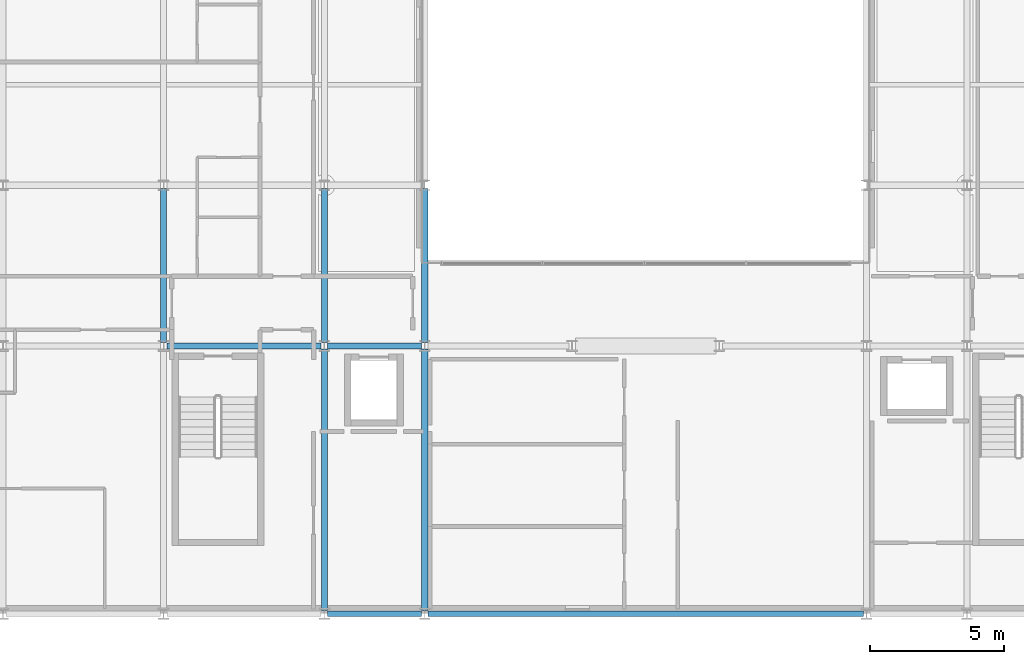
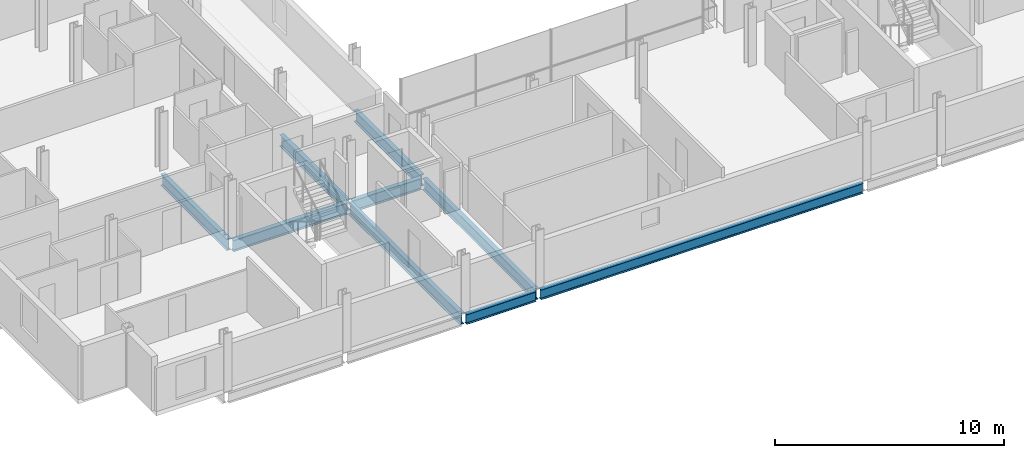
# One storey, part 5 of 38: 9 beams.
"""IFC4 building model written with IfcOpenShell, lengths in metres."""

from ifc_helpers import new_model, si_unit, direction, frame, origin, origin_2d, place, context, subcontext, project, spatial, i_section, extrude, material, material_profile, profile_set, type_object, element, save


model = new_model("IFC4")

# Units and contexts
model_context = context("Model", 3, precision=1e-05, world=origin(), true_north=direction((0.0, 1.0)))
body_context = subcontext(model_context, "Body", "Model", "MODEL_VIEW")
ifc_project = project(units=[si_unit("LENGTHUNIT", "METRE"), si_unit("AREAUNIT", "SQUARE_METRE"), si_unit("VOLUMEUNIT", "CUBIC_METRE"), si_unit("PLANEANGLEUNIT", "RADIAN"), si_unit("MASSUNIT", "GRAM", prefix="KILO")], contexts=[model_context])

# Site, building, storey
site_placement = place(None, origin())
site = spatial("IfcSite", under=ifc_project, at=site_placement, CompositionType="ELEMENT")
building_placement = place(site_placement, origin())
building = spatial("IfcBuilding", under=site, at=building_placement, Name="Brevholm Reach", CompositionType="ELEMENT")
storey_placement = place(building_placement, frame((0.0, 0.0, 166.60009765625)))
storey = spatial("IfcBuildingStorey", under=building, at=storey_placement, Name="L50", CompositionType="ELEMENT", Elevation=166.60009765625)

# Beams
ifc_material_1 = material(Name="Structural Steel S355J2", Category="steel")
ifc_material_profile_1 = material_profile(ifc_material_1, i_section(OverallWidth=0.209228515625, OverallDepth=0.533203125, WebThickness=0.010009765625, FlangeThickness=0.015625, FilletRadius=0.0126953125, at=origin_2d()), Name="UKB 533x210x92")
ifc_profile_set_1 = profile_set([ifc_material_profile_1], Name="Structural Steel S355J2")
beam_type_1 = type_object("IfcBeamType", Name="BM-SP533", PredefinedType="SPANDREL", material=ifc_profile_set_1)
beam_1_placement = place(storey_placement, frame((18.1201171875, 0.0, -0.486572265625), z_axis=(1.0, 0.0, 0.0), x_axis=(0.0, 1.0, 0.0)))
element("IfcBeam", 1, at=beam_1_placement, inside=storey, type_object=beam_type_1, Name="L50 SP-02 Framing Beam", PredefinedType="SPANDREL", context=body_context, shape_type="SweptSolid", body=[
    extrude(i_section(OverallWidth=0.209228515625, OverallDepth=0.533203125, WebThickness=0.010009765625, FlangeThickness=0.015625, FilletRadius=0.0126953125, at=origin_2d()), origin(), (0.0, 0.0, 1.0), 3.509765625),
])
beam_2_placement = place(storey_placement, frame((21.8701171875, 0.0, -0.486572265625), z_axis=(1.0, 0.0, 0.0), x_axis=(0.0, 1.0, 0.0)))
element("IfcBeam", 2, at=beam_2_placement, inside=storey, type_object=beam_type_1, Name="L50 SP-02 Framing Beam", PredefinedType="SPANDREL", context=body_context, shape_type="SweptSolid", body=[
    extrude(i_section(OverallWidth=0.209228515625, OverallDepth=0.533203125, WebThickness=0.010009765625, FlangeThickness=0.015625, FilletRadius=0.0126953125, at=origin_2d()), origin(), (0.0, 0.0, 1.0), 16.259765625),
])
ifc_material_2 = material(Name="Structural Steel S355J2", Category="steel")
ifc_material_profile_2 = material_profile(ifc_material_2, i_section(OverallWidth=0.22900390625, OverallDepth=0.6123046875, WebThickness=0.011962890625, FlangeThickness=0.01953125, FilletRadius=0.0126953125, at=origin_2d()), Name="UKB 610x229x125")
ifc_profile_set_2 = profile_set([ifc_material_profile_2], Name="Structural Steel S355J2")
beam_type_2 = type_object("IfcBeamType", Name="BM-SP610", PredefinedType="SPANDREL", material=ifc_profile_set_2)
beam_3_placement = place(storey_placement, frame((12.1201171875, 10.0, -0.526123046875), z_axis=(1.0, 0.0, 0.0), x_axis=(0.0, 1.0, 0.0)))
element("IfcBeam", 3, at=beam_3_placement, inside=storey, type_object=beam_type_2, Name="L50 SP-01 Framing Beam", PredefinedType="SPANDREL", context=body_context, shape_type="SweptSolid", body=[
    extrude(i_section(OverallWidth=0.22900390625, OverallDepth=0.6123046875, WebThickness=0.011962890625, FlangeThickness=0.01953125, FilletRadius=0.0126953125, at=origin_2d()), origin(), (0.0, 0.0, 1.0), 5.759765625),
])
beam_4_placement = place(storey_placement, frame((18.1201171875, 10.0, -0.526123046875), z_axis=(1.0, 0.0, 0.0), x_axis=(0.0, 1.0, 0.0)))
element("IfcBeam", 4, at=beam_4_placement, inside=storey, type_object=beam_type_2, Name="L50 SP-01 Framing Beam", PredefinedType="SPANDREL", context=body_context, shape_type="SweptSolid", body=[
    extrude(i_section(OverallWidth=0.22900390625, OverallDepth=0.6123046875, WebThickness=0.011962890625, FlangeThickness=0.01953125, FilletRadius=0.0126953125, at=origin_2d()), origin(), (0.0, 0.0, 1.0), 3.509765625),
])
beam_5_placement = place(storey_placement, frame((12.0, 10.1201171875, -0.526123046875), z_axis=(0.0, 1.0, 0.0), x_axis=(-1.0, 0.0, 0.0)))
element("IfcBeam", 5, at=beam_5_placement, inside=storey, type_object=beam_type_2, Name="L50 SP-01 Framing Beam", PredefinedType="SPANDREL", context=body_context, shape_type="SweptSolid", body=[
    extrude(i_section(OverallWidth=0.22900390625, OverallDepth=0.6123046875, WebThickness=0.011962890625, FlangeThickness=0.01953125, FilletRadius=0.0126953125, at=origin_2d()), origin(), (0.0, 0.0, 1.0), 5.759765625),
])
beam_6_placement = place(storey_placement, frame((18.0, 0.1201171875, -0.526123046875), z_axis=(0.0, 1.0, 0.0), x_axis=(-1.0, 0.0, 0.0)))
element("IfcBeam", 6, at=beam_6_placement, inside=storey, type_object=beam_type_2, Name="L50 SP-01 Framing Beam", PredefinedType="SPANDREL", context=body_context, shape_type="SweptSolid", body=[
    extrude(i_section(OverallWidth=0.22900390625, OverallDepth=0.6123046875, WebThickness=0.011962890625, FlangeThickness=0.01953125, FilletRadius=0.0126953125, at=origin_2d()), origin(), (0.0, 0.0, 1.0), 9.759765625),
])
beam_7_placement = place(storey_placement, frame((18.0, 10.1201171875, -0.526123046875), z_axis=(0.0, 1.0, 0.0), x_axis=(-1.0, 0.0, 0.0)))
element("IfcBeam", 7, at=beam_7_placement, inside=storey, type_object=beam_type_2, Name="L50 SP-01 Framing Beam", PredefinedType="SPANDREL", context=body_context, shape_type="SweptSolid", body=[
    extrude(i_section(OverallWidth=0.22900390625, OverallDepth=0.6123046875, WebThickness=0.011962890625, FlangeThickness=0.01953125, FilletRadius=0.0126953125, at=origin_2d()), origin(), (0.0, 0.0, 1.0), 5.759765625),
])
beam_8_placement = place(storey_placement, frame((21.75, 0.1201171875, -0.526123046875), z_axis=(0.0, 1.0, 0.0), x_axis=(-1.0, 0.0, 0.0)))
element("IfcBeam", 8, at=beam_8_placement, inside=storey, type_object=beam_type_2, Name="L50 SP-01 Framing Beam", PredefinedType="SPANDREL", context=body_context, shape_type="SweptSolid", body=[
    extrude(i_section(OverallWidth=0.22900390625, OverallDepth=0.6123046875, WebThickness=0.011962890625, FlangeThickness=0.01953125, FilletRadius=0.0126953125, at=origin_2d()), origin(), (0.0, 0.0, 1.0), 9.759765625),
])
beam_9_placement = place(storey_placement, frame((21.75, 10.1201171875, -0.526123046875), z_axis=(0.0, 1.0, 0.0), x_axis=(-1.0, 0.0, 0.0)))
element("IfcBeam", 9, at=beam_9_placement, inside=storey, type_object=beam_type_2, Name="L50 SP-01 Framing Beam", PredefinedType="SPANDREL", context=body_context, shape_type="SweptSolid", body=[
    extrude(i_section(OverallWidth=0.22900390625, OverallDepth=0.6123046875, WebThickness=0.011962890625, FlangeThickness=0.01953125, FilletRadius=0.0126953125, at=origin_2d()), origin(), (0.0, 0.0, 1.0), 5.759765625),
])

save(model, "model.ifc")
